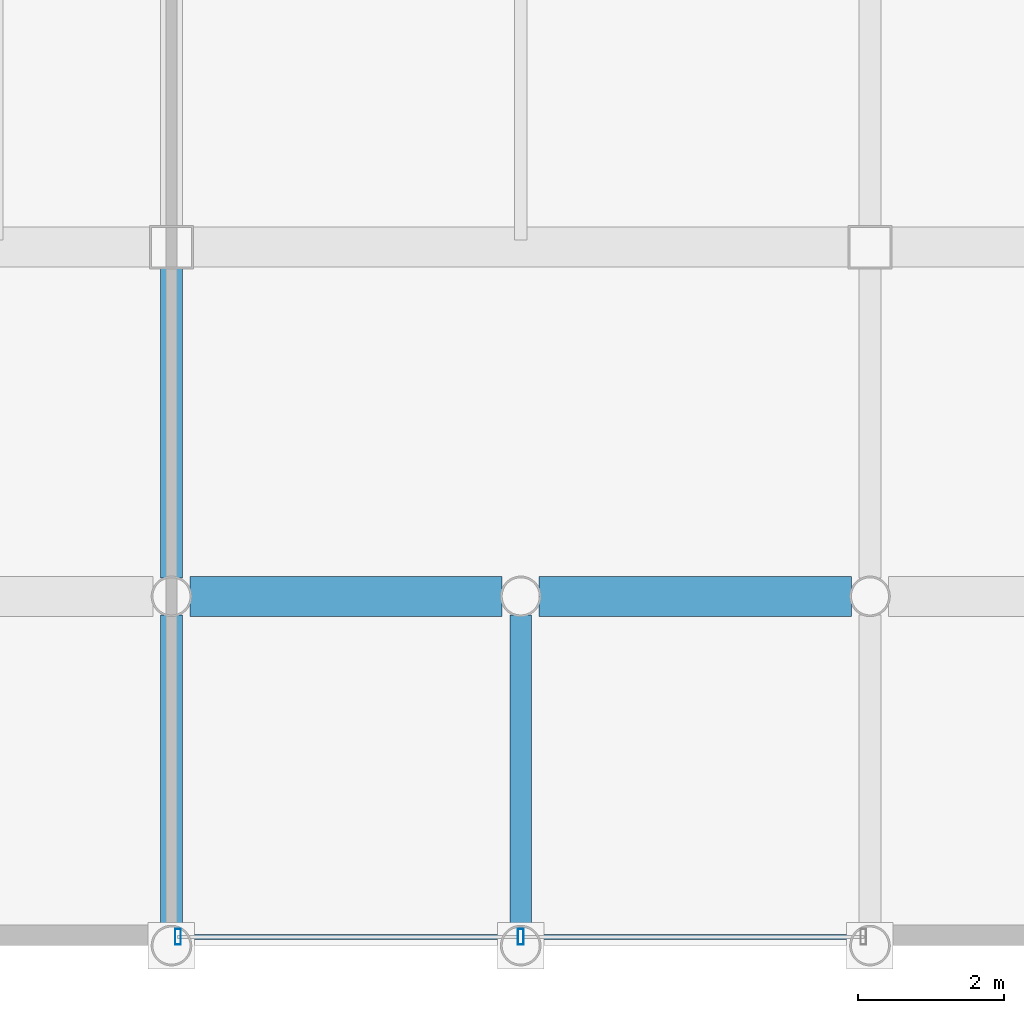
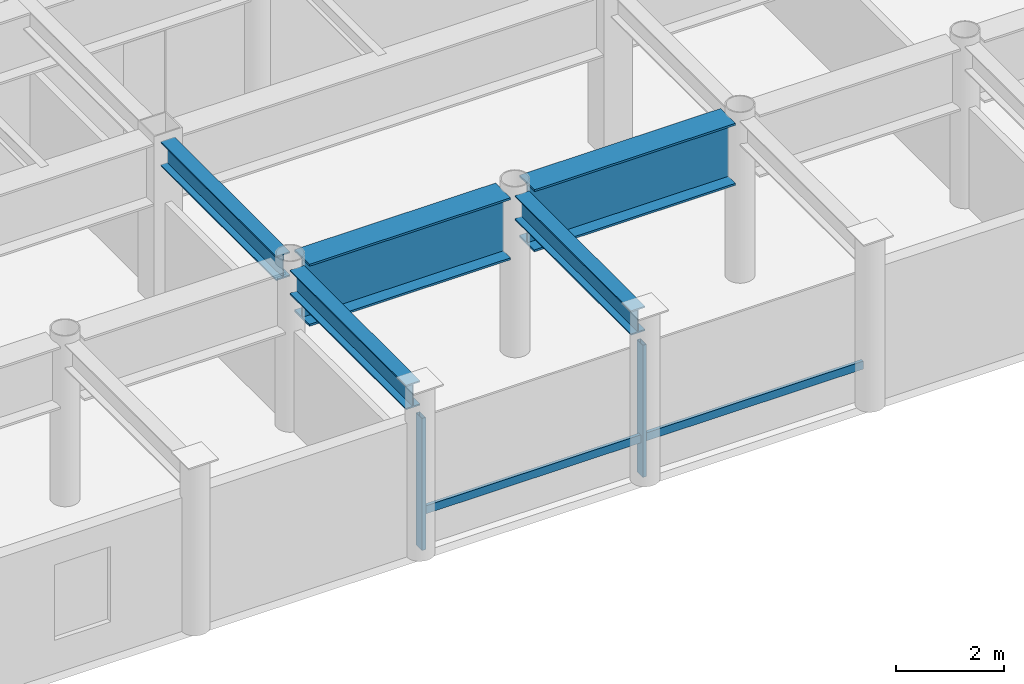
# One storey, part 5 of 24: 5 beams, 4 members, 1 element without a shape of its own.
"""IFC4 building model written with IfcOpenShell, lengths in metres."""

from ifc_helpers import new_model, si_unit, direction, frame, origin, origin_2d, place, context, subcontext, project, spatial, hollow_rectangle, i_section, extrude, material, layer, layer_set, material_profile, profile_set, type_object, element, aggregate, save


model = new_model("IFC4")

# Units and contexts
model_context = context("Model", 3, precision=1e-05, world=origin(), true_north=direction((0.0, 1.0)))
body_context = subcontext(model_context, "Body", "Model", "MODEL_VIEW")
ifc_project = project(units=[si_unit("LENGTHUNIT", "METRE"), si_unit("AREAUNIT", "SQUARE_METRE"), si_unit("VOLUMEUNIT", "CUBIC_METRE"), si_unit("PLANEANGLEUNIT", "RADIAN"), si_unit("MASSUNIT", "GRAM", prefix="KILO")], contexts=[model_context])

# Site, building, storey
site_placement = place(None, origin())
site = spatial("IfcSite", under=ifc_project, at=site_placement, CompositionType="ELEMENT")
building_placement = place(site_placement, origin())
building = spatial("IfcBuilding", under=site, at=building_placement, Name="Kallvorn Hotel Tower", CompositionType="ELEMENT")
storey_placement = place(building_placement, frame((0.0, 0.0, 218.449951171875)))
storey = spatial("IfcBuildingStorey", under=building, at=storey_placement, Name="L54", CompositionType="ELEMENT", Elevation=218.449951171875)

# Beams
ifc_material_1 = material(Name="Structural steel S355JR", Category="steel")
ifc_material_profile_1 = material_profile(ifc_material_1, i_section(OverallWidth=0.300048828125, OverallDepth=0.550048828125, WebThickness=0.014892578125, FlangeThickness=0.029052734375, at=origin_2d()), Name="HE 550 B")
ifc_profile_set_1 = profile_set([ifc_material_profile_1], Name="Structural steel S355JR")
beam_type_1 = type_object("IfcBeamType", Name="BM_HE550B", PredefinedType="SPANDREL", material=ifc_profile_set_1)
beam_1_placement = place(storey_placement, frame((-4.800048828125, -23.74560546875, 3.39501953125), z_axis=(0.0, 1.0, 0.0), x_axis=(-1.0, 0.0, 0.0)))
element("IfcBeam", 1, at=beam_1_placement, inside=storey, type_object=beam_type_1, Name="L55 Primary Y-Girder 118", PredefinedType="SPANDREL", context=body_context, shape_type="SweptSolid", body=[
    extrude(i_section(OverallWidth=0.300048828125, OverallDepth=0.550048828125, WebThickness=0.014892578125, FlangeThickness=0.029052734375, at=origin_2d()), origin(), (0.0, 0.0, 1.0), 4.291015625),
])
beam_2_placement = place(storey_placement, frame((-4.800048828125, -18.945556640625, 3.39501953125), z_axis=(0.0, 1.0, 0.0), x_axis=(-1.0, 0.0, 0.0)))
element("IfcBeam", 2, at=beam_2_placement, inside=storey, type_object=beam_type_1, Name="L55 Primary Y-Girder 119", PredefinedType="SPANDREL", context=body_context, shape_type="SweptSolid", body=[
    extrude(i_section(OverallWidth=0.300048828125, OverallDepth=0.550048828125, WebThickness=0.014892578125, FlangeThickness=0.029052734375, at=origin_2d()), origin(), (0.0, 0.0, 1.0), 4.2705078125),
])
beam_3_placement = place(storey_placement, frame((0.0, -23.74560546875, 3.39501953125), z_axis=(0.0, 1.0, 0.0), x_axis=(-1.0, 0.0, 0.0)))
element("IfcBeam", 3, at=beam_3_placement, inside=storey, type_object=beam_type_1, Name="L55 Primary Y-Girder 123", PredefinedType="SPANDREL", context=body_context, shape_type="SweptSolid", body=[
    extrude(i_section(OverallWidth=0.300048828125, OverallDepth=0.550048828125, WebThickness=0.014892578125, FlangeThickness=0.029052734375, at=origin_2d()), origin(), (0.0, 0.0, 1.0), 4.291015625),
])
ifc_material_2 = material(Name="Structural steel S355JR", Category="steel")
ifc_material_profile_2 = material_profile(ifc_material_2, i_section(OverallWidth=0.550048828125, OverallDepth=1.39990234375, WebThickness=0.02490234375, FlangeThickness=0.044921875, at=origin_2d()), Name="PG 1400x550x25x45")
ifc_profile_set_2 = profile_set([ifc_material_profile_2], Name="Structural steel S355JR")
beam_type_2 = type_object("IfcBeamType", Name="BM_PG_1400", PredefinedType="BEAM", material=ifc_profile_set_2)
for number, where, z_axis, x_axis, name in (
    (4, (-4.54541015625, -19.199951171875, 2.969970703125), (1.0, 0.0, 0.0), (0.0, 1.0, 0.0), "L55 Primary X-Girder 19"),
    (5, (0.25439453125, -19.199951171875, 2.969970703125), (1.0, 0.0, 0.0), (0.0, 1.0, 0.0), "L55 Primary X-Girder 20"),
):
    element("IfcBeam", number, at=place(storey_placement, frame(where, z_axis=z_axis, x_axis=x_axis)), inside=storey, type_object=beam_type_2, Name=name, PredefinedType="BEAM", context=body_context, shape_type="SweptSolid", body=[
        extrude(i_section(OverallWidth=0.550048828125, OverallDepth=1.39990234375, WebThickness=0.02490234375, FlangeThickness=0.044921875, at=origin_2d()), origin(), (0.0, 0.0, 1.0), 4.291015625),
    ])

# Curtain wall, members
ifc_material_3 = material(Name="Thermally broken black-anodised aluminium AA 6063-T6", Category="aluminium")
ifc_layer = layer(ifc_material_3, 0.22998046875)
ifc_layer_set = layer_set([ifc_layer], Name="CW_SYS_5_HOTEL_HIGH")
curtain_wall_type = type_object("IfcCurtainWallType", Name="CW_SYS_5_HOTEL_HIGH", PredefinedType="USERDEFINED", material=ifc_layer_set)
curtain_wall_placement = place(storey_placement, origin())
curtain_wall = element("IfcCurtainWall", 6, at=curtain_wall_placement, inside=storey, type_object=curtain_wall_type, Name="L54 Dark-Glass Curtain Wall CW-L54-SC", ObjectType="UNITISED CURTAIN WALL", PredefinedType="USERDEFINED")
ifc_material_4 = material(Name="Thermally broken black-anodised aluminium AA 6063-T6", Category="aluminium")
ifc_material_profile_3 = material_profile(ifc_material_4, hollow_rectangle(XDim=0.080078125, YDim=0.219970703125, WallThickness=0.0048828125, at=origin_2d()), Name="MUL 220x80")
ifc_profile_set_3 = profile_set([ifc_material_profile_3], Name="Thermally broken black-anodised aluminium AA 6063-T6")
member_type_1 = type_object("IfcMemberType", Name="CW_MULLION_220x80", PredefinedType="MULLION", material=ifc_profile_set_3)
member_1_placement = place(storey_placement, frame((-4.7099609375, -23.8798828125, 0.02001953125), z_axis=(0.0, 0.0, 1.0), x_axis=(1.0, 0.0, 0.0)))
member_1 = element("IfcMember", 7, at=member_1_placement, type_object=member_type_1, Name="CW-L54-SC Mullion 00", PredefinedType="MULLION", context=body_context, shape_type="SweptSolid", body=[
    extrude(hollow_rectangle(XDim=0.080078125, YDim=0.219970703125, WallThickness=0.0048828125, at=origin_2d()), origin(), (0.0, 0.0, 1.0), 2.97998046875),
])
member_2_placement = place(storey_placement, frame((0.0, -23.8798828125, 0.02001953125), z_axis=(0.0, 0.0, 1.0), x_axis=(1.0, 0.0, 0.0)))
member_2 = element("IfcMember", 8, at=member_2_placement, type_object=member_type_1, Name="CW-L54-SC Mullion 01", PredefinedType="MULLION", context=body_context, shape_type="SweptSolid", body=[
    extrude(hollow_rectangle(XDim=0.080078125, YDim=0.219970703125, WallThickness=0.0048828125, at=origin_2d()), origin(), (0.0, 0.0, 1.0), 2.97998046875),
])
ifc_material_5 = material(Name="Thermally broken black-anodised aluminium AA 6063-T6", Category="aluminium")
ifc_material_profile_4 = material_profile(ifc_material_5, hollow_rectangle(XDim=0.070068359375, YDim=0.179931640625, WallThickness=0.00390625, at=origin_2d()), Name="TRN 180x70")
ifc_profile_set_4 = profile_set([ifc_material_profile_4], Name="Thermally broken black-anodised aluminium AA 6063-T6")
member_type_2 = type_object("IfcMemberType", Name="CW_TRANSOM_180x70", PredefinedType="USERDEFINED", material=ifc_profile_set_4)
member_3_placement = place(storey_placement, frame((-4.7099609375, -23.8798828125, 0.85009765625), z_axis=(1.0, 0.0, 0.0), x_axis=(0.0, 1.0, 0.0)))
member_3 = element("IfcMember", 9, at=member_3_placement, type_object=member_type_2, Name="CW-L54-SC Transom 00M", ObjectType="TRANSOM", PredefinedType="USERDEFINED", context=body_context, shape_type="SweptSolid", body=[
    extrude(hollow_rectangle(XDim=0.070068359375, YDim=0.179931640625, WallThickness=0.00390625, at=origin_2d()), origin(), (0.0, 0.0, 1.0), 4.669921875),
])
member_4_placement = place(storey_placement, frame((0.0400390625, -23.8798828125, 0.85009765625), z_axis=(1.0, 0.0, 0.0), x_axis=(0.0, 1.0, 0.0)))
member_4 = element("IfcMember", 10, at=member_4_placement, type_object=member_type_2, Name="CW-L54-SC Transom 01M", ObjectType="TRANSOM", PredefinedType="USERDEFINED", context=body_context, shape_type="SweptSolid", body=[
    extrude(hollow_rectangle(XDim=0.070068359375, YDim=0.179931640625, WallThickness=0.00390625, at=origin_2d()), origin(), (0.0, 0.0, 1.0), 4.669921875),
])
aggregate(curtain_wall, [member_1, member_2, member_3, member_4])

save(model, "model.ifc")
